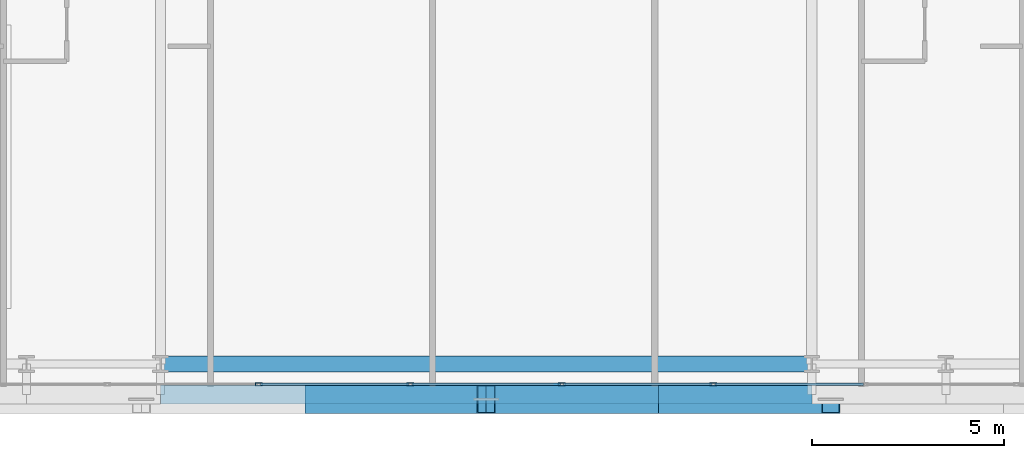
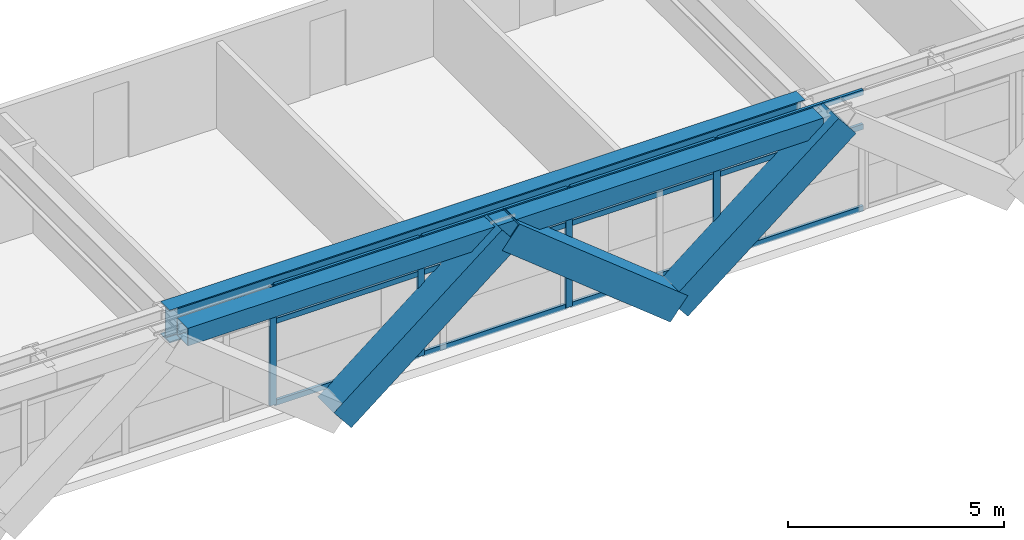
# One storey, part 5 of 35: 19 members, 2 beams, 1 element without a shape of its own.
"""IFC4 building model written with IfcOpenShell, lengths in metres."""

from ifc_helpers import new_model, si_unit, direction, frame, origin, origin_2d, place, context, subcontext, project, spatial, hollow_rectangle, i_section, extrude, source, transform, mapped, material, layer, layer_set, material_profile, profile_set, type_object, element, aggregate, save


model = new_model("IFC4")

# Units and contexts
model_context = context("Model", 3, precision=1e-05, world=origin(), true_north=direction((0.0, 1.0)))
body_context = subcontext(model_context, "Body", "Model", "MODEL_VIEW")
ifc_project = project(units=[si_unit("LENGTHUNIT", "METRE"), si_unit("AREAUNIT", "SQUARE_METRE"), si_unit("VOLUMEUNIT", "CUBIC_METRE"), si_unit("PLANEANGLEUNIT", "RADIAN"), si_unit("MASSUNIT", "GRAM", prefix="KILO")], contexts=[model_context])

# Site, building, storey
site_placement = place(None, origin())
site = spatial("IfcSite", under=ifc_project, at=site_placement, CompositionType="ELEMENT")
building_placement = place(site_placement, origin())
building = spatial("IfcBuilding", under=site, at=building_placement, Name="Ocotamira Hotel", CompositionType="ELEMENT")
storey_placement = place(building_placement, frame((0.0, 0.0, 122.39990234375)))
storey = spatial("IfcBuildingStorey", under=building, at=storey_placement, Name="L30", CompositionType="ELEMENT", Elevation=122.39990234375)

# Beams
ifc_material_1 = material(Name="Steel ASTM A992 Grade 50", Category="steel")
ifc_material_profile_1 = material_profile(ifc_material_1, i_section(OverallWidth=0.41796875, OverallDepth=0.927001953125, WebThickness=0.019287109375, FlangeThickness=0.031982421875, FilletRadius=0.02392578125, at=origin_2d()), Name="W36X231")
ifc_profile_set_1 = profile_set([ifc_material_profile_1], Name="Steel ASTM A992 Grade 50")
beam_type_1 = type_object("IfcBeamType", Name="BM-GIRD-W36X231", PredefinedType="BEAM", material=ifc_profile_set_1)
shared_shape_1 = source(origin(), body_context, "Body", "SweptSolid", [
    extrude(i_section(OverallWidth=0.41796875, OverallDepth=0.927001953125, WebThickness=0.019287109375, FlangeThickness=0.031982421875, FilletRadius=0.02392578125, at=origin_2d()), origin(), (0.0, 0.0, 1.0), 17.0),
])
beam_1_placement = place(storey_placement, frame((23.5, 2.949951171875, 2.896484375), z_axis=(1.0, 0.0, 0.0), x_axis=(0.0, 1.0, 0.0)))
element("IfcBeam", 1, at=beam_1_placement, inside=storey, type_object=beam_type_1, Name="L30 Girder Y2.95 X23.5-40.5", PredefinedType="BEAM", context=body_context, shape_type="MappedRepresentation", body=[
    mapped(shared_shape_1, transform((0.0, 0.0, 0.0), scale=1.0)),
])
ifc_material_2 = material(Name="Steel ASTM A500 Grade C", Category="steel")
ifc_material_profile_2 = material_profile(ifc_material_2, hollow_rectangle(XDim=0.5, YDim=0.5, WallThickness=0.02001953125, at=origin_2d()), Name="HSS500X500X20")
ifc_profile_set_2 = profile_set([ifc_material_profile_2], Name="Steel ASTM A500 Grade C")
beam_type_2 = type_object("IfcBeamType", Name="BM-SPAN-HSS500", PredefinedType="USERDEFINED", material=ifc_profile_set_2)
shared_shape_2 = source(origin(), body_context, "Body", "SweptSolid", [
    extrude(hollow_rectangle(XDim=0.5, YDim=0.5, WallThickness=0.02001953125, at=origin_2d()), origin(), (0.0, 0.0, 1.0), 17.0),
])
beam_2_placement = place(storey_placement, frame((23.5, 2.14990234375, 3.110107421875), z_axis=(1.0, 0.0, 0.0), x_axis=(0.0, 1.0, 0.0)))
element("IfcBeam", 2, at=beam_2_placement, inside=storey, type_object=beam_type_2, Name="L30 Edge Spandrel S X23.5-40.5", ObjectType="SPANDREL", PredefinedType="USERDEFINED", context=body_context, shape_type="MappedRepresentation", body=[
    mapped(shared_shape_2, transform((0.0, 0.0, 0.0), scale=1.0)),
])

# Members
ifc_material_3 = material(Name="Pale-metal coated steel ASTM A913 Grade 65", Category="steel")
ifc_material_profile_3 = material_profile(ifc_material_3, hollow_rectangle(XDim=0.75, YDim=0.75, WallThickness=0.028076171875, at=origin_2d()), Name="BOX750X750X28")
ifc_profile_set_3 = profile_set([ifc_material_profile_3], Name="Pale-metal coated steel ASTM A913 Grade 65")
member_type_1 = type_object("IfcMemberType", Name="MEM-EXO-BOX750", PredefinedType="BRACE", material=ifc_profile_set_3)
shared_shape_3 = source(origin(), body_context, "Body", "SweptSolid", [
    extrude(hollow_rectangle(XDim=0.75, YDim=0.75, WallThickness=0.028076171875, at=origin_2d()), origin(), (0.0, 0.0, 1.0), 5.762939453125),
])
for number, where, z_axis, x_axis, name in (
    (3, (27.5, 2.030029296875, -0.489990234375), (0.780860543151, 0.0, 0.624705380279), (0.0, 1.0, 0.0), "L30 Exoskeleton Diagrid S1.2"),
    (4, (36.5, 2.030029296875, -0.489990234375), (-0.780860543151, 0.0, 0.624705380279), (0.0, -1.0, 0.0), "L30 Exoskeleton Diagrid S2.1"),
    (5, (36.5, 2.030029296875, -0.489990234375), (0.780860543151, 0.0, 0.624705380279), (0.0, 1.0, 0.0), "L30 Exoskeleton Diagrid S2.2"),
):
    element("IfcMember", number, at=place(storey_placement, frame(where, z_axis=z_axis, x_axis=x_axis)), inside=storey, type_object=member_type_1, Name=name, PredefinedType="BRACE", context=body_context, shape_type="MappedRepresentation", body=[
        mapped(shared_shape_3, transform((0.0, 0.0, 0.0), scale=1.0)),
    ])

# Curtain wall, members
ifc_material_4 = material(Name="Anodised pale-metal aluminium and solar glass", Category="aluminium")
ifc_layer = layer(ifc_material_4, 0.179931640625)
ifc_layer_set = layer_set([ifc_layer], Name="Anodised pale-metal aluminium and solar glass")
curtain_wall_type = type_object("IfcCurtainWallType", Name="CW-SYS3-Z2", PredefinedType="NOTDEFINED", material=ifc_layer_set)
curtain_wall_placement = place(storey_placement, origin())
curtain_wall = element("IfcCurtainWall", 6, at=curtain_wall_placement, inside=storey, type_object=curtain_wall_type, Name="L30 Curtain Wall CW-3 CW-L30-S1", PredefinedType="NOTDEFINED")
ifc_material_5 = material(Name="Anodised pale-metal aluminium 6063-T6", Category="aluminium")
ifc_material_profile_4 = material_profile(ifc_material_5, hollow_rectangle(XDim=0.074951171875, YDim=0.14990234375, WallThickness=0.006103515625, at=origin_2d()), Name="HSS150X75X6")
ifc_profile_set_4 = profile_set([ifc_material_profile_4], Name="Anodised pale-metal aluminium 6063-T6")
member_type_2 = type_object("IfcMemberType", Name="CWT-150X75", PredefinedType="USERDEFINED", material=ifc_profile_set_4)
shared_shape_4 = source(origin(), body_context, "Body", "SweptSolid", [
    extrude(hollow_rectangle(XDim=0.074951171875, YDim=0.14990234375, WallThickness=0.006103515625, at=origin_2d()), origin(), (0.0, 0.0, 1.0), 3.87548828125),
])
member_1_placement = place(storey_placement, frame((26.106689453125, 2.419921875, 0.03759765625), z_axis=(1.0, 0.0, 0.0), x_axis=(0.0, 1.0, 0.0)))
member_1 = element("IfcMember", 7, at=member_1_placement, type_object=member_type_2, Name="CW-3 transom 4.1", ObjectType="TRANSOM", PredefinedType="USERDEFINED", context=body_context, shape_type="MappedRepresentation", body=[
    mapped(shared_shape_4, transform((0.0, 0.0, 0.0), scale=1.0)),
])
member_2_placement = place(storey_placement, frame((26.106689453125, 2.419921875, 2.35009765625), z_axis=(1.0, 0.0, 0.0), x_axis=(0.0, 1.0, 0.0)))
member_2 = element("IfcMember", 8, at=member_2_placement, type_object=member_type_2, Name="CW-3 transom 4.2", ObjectType="TRANSOM", PredefinedType="USERDEFINED", context=body_context, shape_type="MappedRepresentation", body=[
    mapped(shared_shape_4, transform((0.0, 0.0, 0.0), scale=1.0)),
])
member_3_placement = place(storey_placement, frame((26.106689453125, 2.419921875, 3.322509765625), z_axis=(1.0, 0.0, 0.0), x_axis=(0.0, 1.0, 0.0)))
member_3 = element("IfcMember", 9, at=member_3_placement, type_object=member_type_2, Name="CW-3 transom 4.3", ObjectType="TRANSOM", PredefinedType="USERDEFINED", context=body_context, shape_type="MappedRepresentation", body=[
    mapped(shared_shape_4, transform((0.0, 0.0, 0.0), scale=1.0)),
])
member_4_placement = place(storey_placement, frame((30.062255859375, 2.419921875, 0.03759765625), z_axis=(1.0, 0.0, 0.0), x_axis=(0.0, 1.0, 0.0)))
member_4 = element("IfcMember", 10, at=member_4_placement, type_object=member_type_2, Name="CW-3 transom 5.1", ObjectType="TRANSOM", PredefinedType="USERDEFINED", context=body_context, shape_type="MappedRepresentation", body=[
    mapped(shared_shape_4, transform((0.0, 0.0, 0.0), scale=1.0)),
])
member_5_placement = place(storey_placement, frame((30.062255859375, 2.419921875, 2.35009765625), z_axis=(1.0, 0.0, 0.0), x_axis=(0.0, 1.0, 0.0)))
member_5 = element("IfcMember", 11, at=member_5_placement, type_object=member_type_2, Name="CW-3 transom 5.2", ObjectType="TRANSOM", PredefinedType="USERDEFINED", context=body_context, shape_type="MappedRepresentation", body=[
    mapped(shared_shape_4, transform((0.0, 0.0, 0.0), scale=1.0)),
])
member_6_placement = place(storey_placement, frame((30.062255859375, 2.419921875, 3.322509765625), z_axis=(1.0, 0.0, 0.0), x_axis=(0.0, 1.0, 0.0)))
member_6 = element("IfcMember", 12, at=member_6_placement, type_object=member_type_2, Name="CW-3 transom 5.3", ObjectType="TRANSOM", PredefinedType="USERDEFINED", context=body_context, shape_type="MappedRepresentation", body=[
    mapped(shared_shape_4, transform((0.0, 0.0, 0.0), scale=1.0)),
])
member_7_placement = place(storey_placement, frame((34.017822265625, 2.419921875, 0.03759765625), z_axis=(1.0, 0.0, 0.0), x_axis=(0.0, 1.0, 0.0)))
member_7 = element("IfcMember", 13, at=member_7_placement, type_object=member_type_2, Name="CW-3 transom 6.1", ObjectType="TRANSOM", PredefinedType="USERDEFINED", context=body_context, shape_type="MappedRepresentation", body=[
    mapped(shared_shape_4, transform((0.0, 0.0, 0.0), scale=1.0)),
])
member_8_placement = place(storey_placement, frame((34.017822265625, 2.419921875, 2.35009765625), z_axis=(1.0, 0.0, 0.0), x_axis=(0.0, 1.0, 0.0)))
member_8 = element("IfcMember", 14, at=member_8_placement, type_object=member_type_2, Name="CW-3 transom 6.2", ObjectType="TRANSOM", PredefinedType="USERDEFINED", context=body_context, shape_type="MappedRepresentation", body=[
    mapped(shared_shape_4, transform((0.0, 0.0, 0.0), scale=1.0)),
])
member_9_placement = place(storey_placement, frame((34.017822265625, 2.419921875, 3.322509765625), z_axis=(1.0, 0.0, 0.0), x_axis=(0.0, 1.0, 0.0)))
member_9 = element("IfcMember", 15, at=member_9_placement, type_object=member_type_2, Name="CW-3 transom 6.3", ObjectType="TRANSOM", PredefinedType="USERDEFINED", context=body_context, shape_type="MappedRepresentation", body=[
    mapped(shared_shape_4, transform((0.0, 0.0, 0.0), scale=1.0)),
])
member_10_placement = place(storey_placement, frame((37.973388671875, 2.419921875, 0.03759765625), z_axis=(1.0, 0.0, 0.0), x_axis=(0.0, 1.0, 0.0)))
member_10 = element("IfcMember", 16, at=member_10_placement, type_object=member_type_2, Name="CW-3 transom 7.1", ObjectType="TRANSOM", PredefinedType="USERDEFINED", context=body_context, shape_type="MappedRepresentation", body=[
    mapped(shared_shape_4, transform((0.0, 0.0, 0.0), scale=1.0)),
])
member_11_placement = place(storey_placement, frame((37.973388671875, 2.419921875, 2.35009765625), z_axis=(1.0, 0.0, 0.0), x_axis=(0.0, 1.0, 0.0)))
member_11 = element("IfcMember", 17, at=member_11_placement, type_object=member_type_2, Name="CW-3 transom 7.2", ObjectType="TRANSOM", PredefinedType="USERDEFINED", context=body_context, shape_type="MappedRepresentation", body=[
    mapped(shared_shape_4, transform((0.0, 0.0, 0.0), scale=1.0)),
])
member_12_placement = place(storey_placement, frame((37.973388671875, 2.419921875, 3.322509765625), z_axis=(1.0, 0.0, 0.0), x_axis=(0.0, 1.0, 0.0)))
member_12 = element("IfcMember", 18, at=member_12_placement, type_object=member_type_2, Name="CW-3 transom 7.3", ObjectType="TRANSOM", PredefinedType="USERDEFINED", context=body_context, shape_type="MappedRepresentation", body=[
    mapped(shared_shape_4, transform((0.0, 0.0, 0.0), scale=1.0)),
])
ifc_material_profile_5 = material_profile(ifc_material_5, hollow_rectangle(XDim=0.080078125, YDim=0.179931640625, WallThickness=0.006103515625, at=origin_2d()), Name="HSS180X80X6")
ifc_profile_set_5 = profile_set([ifc_material_profile_5], Name="Anodised pale-metal aluminium 6063-T6")
member_type_3 = type_object("IfcMemberType", Name="CWM-180X75", PredefinedType="MULLION", material=ifc_profile_set_5)
shared_shape_5 = source(origin(), body_context, "Body", "SweptSolid", [
    extrude(hollow_rectangle(XDim=0.080078125, YDim=0.179931640625, WallThickness=0.006103515625, at=origin_2d()), origin(), (0.0, 0.0, 1.0), 3.360107421875),
])
member_13_placement = place(storey_placement, frame((26.066650390625, 2.419921875, 0.0), z_axis=(0.0, 0.0, 1.0), x_axis=(0.0, 1.0, 0.0)))
member_13 = element("IfcMember", 19, at=member_13_placement, type_object=member_type_3, Name="CW-3 mullion 4", PredefinedType="MULLION", context=body_context, shape_type="MappedRepresentation", body=[
    mapped(shared_shape_5, transform((0.0, 0.0, 0.0), scale=1.0)),
])
member_14_placement = place(storey_placement, frame((30.022216796875, 2.419921875, 0.0), z_axis=(0.0, 0.0, 1.0), x_axis=(0.0, 1.0, 0.0)))
member_14 = element("IfcMember", 20, at=member_14_placement, type_object=member_type_3, Name="CW-3 mullion 5", PredefinedType="MULLION", context=body_context, shape_type="MappedRepresentation", body=[
    mapped(shared_shape_5, transform((0.0, 0.0, 0.0), scale=1.0)),
])
member_15_placement = place(storey_placement, frame((33.977783203125, 2.419921875, 0.0), z_axis=(0.0, 0.0, 1.0), x_axis=(0.0, 1.0, 0.0)))
member_15 = element("IfcMember", 21, at=member_15_placement, type_object=member_type_3, Name="CW-3 mullion 6", PredefinedType="MULLION", context=body_context, shape_type="MappedRepresentation", body=[
    mapped(shared_shape_5, transform((0.0, 0.0, 0.0), scale=1.0)),
])
member_16_placement = place(storey_placement, frame((37.933349609375, 2.419921875, 0.0), z_axis=(0.0, 0.0, 1.0), x_axis=(0.0, 1.0, 0.0)))
member_16 = element("IfcMember", 22, at=member_16_placement, type_object=member_type_3, Name="CW-3 mullion 7", PredefinedType="MULLION", context=body_context, shape_type="MappedRepresentation", body=[
    mapped(shared_shape_5, transform((0.0, 0.0, 0.0), scale=1.0)),
])
aggregate(curtain_wall, [member_13, member_14, member_15, member_16, member_1, member_2, member_3, member_4, member_5, member_6, member_7, member_8, member_9, member_10, member_11, member_12])

save(model, "model.ifc")
